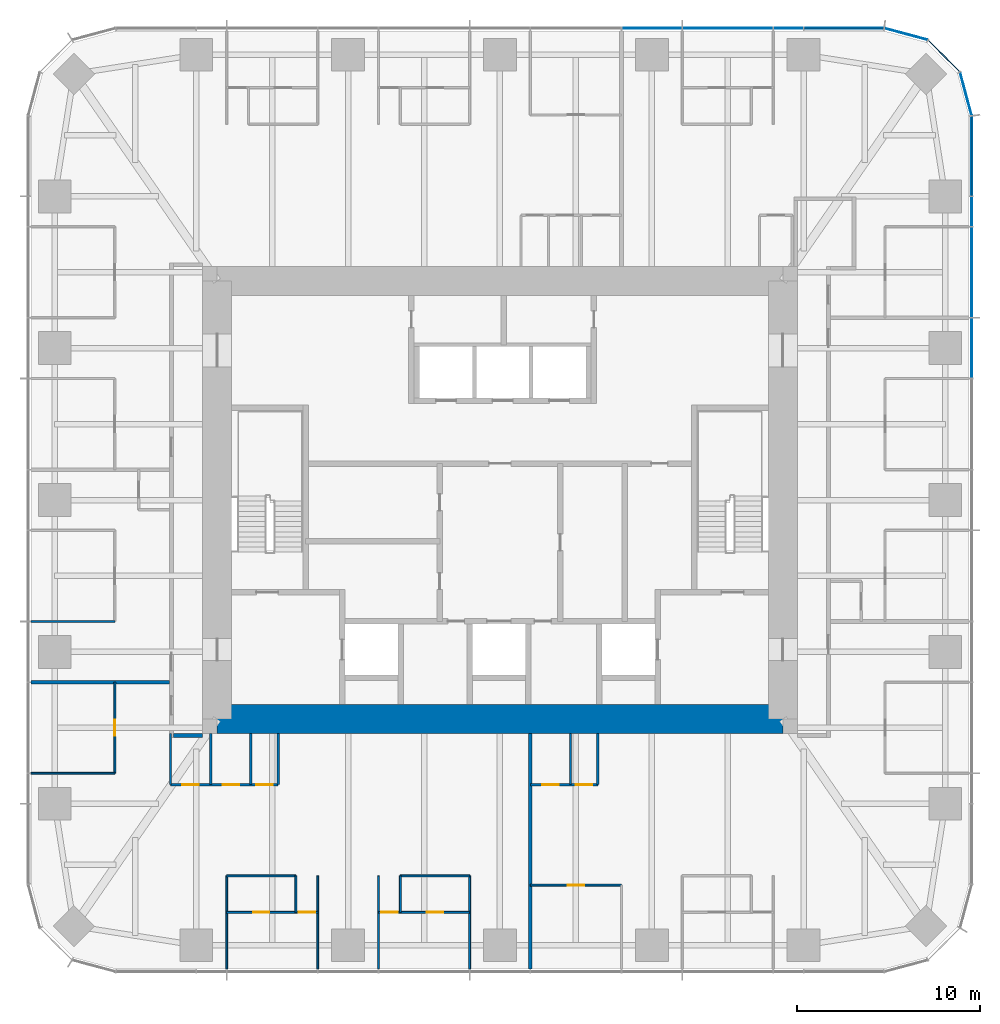
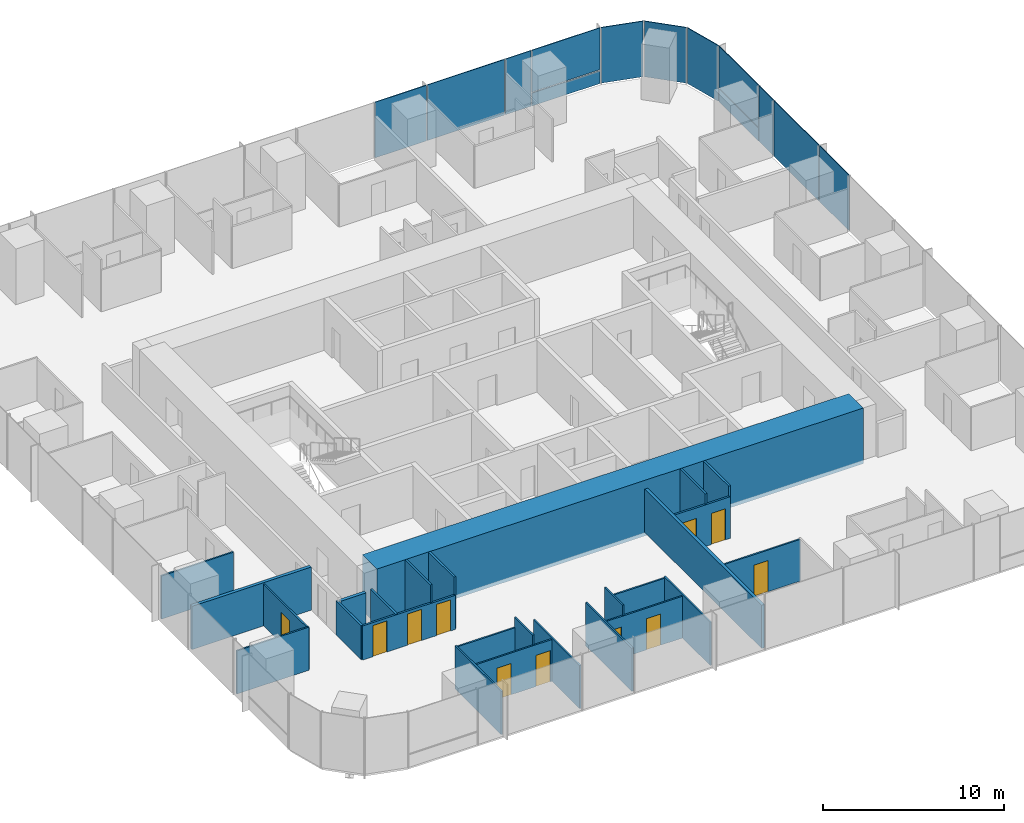
# One storey, part 8 of 13: 26 walls, 13 plates, 11 doors, 11 openings, 3 elements without a shape of their own.
"""IFC4 building model written with IfcOpenShell, lengths in metres."""

from ifc_helpers import new_model, si_unit, direction, frame, frame_2d, origin, origin_2d, place, context, subcontext, project, spatial, rectangle, extrude, material, layer, layer_set, type_object, element, fill, aggregate, save


model = new_model("IFC4")

# Units and contexts
model_context = context("Model", 3, precision=1e-05, world=origin(), true_north=direction((0.0, 1.0)))
body_context = subcontext(model_context, "Body", "Model", "MODEL_VIEW")
ifc_project = project(units=[si_unit("LENGTHUNIT", "METRE"), si_unit("AREAUNIT", "SQUARE_METRE"), si_unit("VOLUMEUNIT", "CUBIC_METRE"), si_unit("PLANEANGLEUNIT", "RADIAN"), si_unit("MASSUNIT", "GRAM", prefix="KILO")], contexts=[model_context])

# Site, building, storey
site_placement = place(None, origin())
site = spatial("IfcSite", under=ifc_project, at=site_placement, CompositionType="ELEMENT")
building_placement = place(site_placement, origin())
building = spatial("IfcBuilding", under=site, at=building_placement, Name="Khuree Lantern Residences", CompositionType="ELEMENT")
storey_placement = place(building_placement, frame((0.0, 0.0, 255.75)))
storey = spatial("IfcBuildingStorey", under=building, at=storey_placement, Name="L64", CompositionType="ELEMENT", Elevation=255.75)

# Curtain wall, plates
ifc_material_1 = material(Name="Bronze anodised aluminium", Category="aluminium")
curtain_wall_type_1 = type_object("IfcCurtainWallType", Name="CW-T2 TOWER CORNER CURTAIN WALL", PredefinedType="USERDEFINED", material=ifc_material_1)
curtain_wall_1_placement = place(storey_placement, origin())
curtain_wall_1 = element("IfcCurtainWall", 1, at=curtain_wall_1_placement, inside=storey, type_object=curtain_wall_type_1, Name="L64 NORTH-EAST CORNER CURTAIN WALL", ObjectType="Faceted corner curtain wall", PredefinedType="USERDEFINED")
ifc_material_2 = material(Name="Bronze tinted triple glazing", Category="glass")
ifc_layer_1 = layer(ifc_material_2, 0.048095703125)
ifc_layer_set_1 = layer_set([ifc_layer_1], Name="FACET PANEL P4")
plate_type_1 = type_object("IfcPlateType", Name="FACET PANEL P4", PredefinedType="CURTAIN_PANEL", material=ifc_layer_set_1)
plate_1_placement = place(storey_placement, frame((25.529052734375, 22.248046875, 0.0), z_axis=(0.0, 0.0, 1.0), x_axis=(-0.258819021888, 0.965925832509, 0.0)))
plate_1 = element("IfcPlate", 2, at=plate_1_placement, type_object=plate_type_1, Name="L64 NORTH-EAST CORNER PANEL 15.1", PredefinedType="CURTAIN_PANEL", context=body_context, shape_type="SweptSolid", body=[
    extrude(rectangle(XDim=2.40869140625, YDim=0.048095703125, at=origin_2d()), origin(), (0.0, 0.0, 1.0), 3.75),
])
plate_2_placement = place(storey_placement, frame((24.328369140625, 24.328369140625, 0.0), z_axis=(0.0, 0.0, 1.0), x_axis=(-0.707106781187, 0.707106781187, 0.0)))
plate_2 = element("IfcPlate", 3, at=plate_2_placement, type_object=plate_type_1, Name="L64 NORTH-EAST CORNER PANEL 16.1", PredefinedType="CURTAIN_PANEL", context=body_context, shape_type="SweptSolid", body=[
    extrude(rectangle(XDim=2.404541015625, YDim=0.048095703125, at=origin_2d()), origin(), (0.0, 0.0, 1.0), 3.75),
])
plate_3_placement = place(storey_placement, frame((22.248046875, 25.529052734375, 0.0), z_axis=(0.0, 0.0, 1.0), x_axis=(-0.965925832509, 0.258819021888, 0.0)))
plate_3 = element("IfcPlate", 4, at=plate_3_placement, type_object=plate_type_1, Name="L64 NORTH-EAST CORNER PANEL 17.1", PredefinedType="CURTAIN_PANEL", context=body_context, shape_type="SweptSolid", body=[
    extrude(rectangle(XDim=2.40869140625, YDim=0.048095703125, at=origin_2d()), origin(), (0.0, 0.0, 1.0), 3.75),
])
aggregate(curtain_wall_1, [plate_1, plate_2, plate_3])

# Curtain wall, plate
curtain_wall_type_2 = type_object("IfcCurtainWallType", Name="CW-T1 TOWER FACE CURTAIN WALL", PredefinedType="USERDEFINED", material=ifc_material_1)
curtain_wall_2_placement = place(storey_placement, origin())
curtain_wall_2 = element("IfcCurtainWall", 5, at=curtain_wall_2_placement, inside=storey, type_object=curtain_wall_type_2, Name="L64 EAST FACE CURTAIN WALL", ObjectType="Stick-built curtain wall", PredefinedType="USERDEFINED")
ifc_material_3 = material(Name="Bronze tinted triple glazing with a ceramic-fritted spandrel band", Category="glass")
ifc_layer_2 = layer(ifc_material_3, 0.048095703125)
ifc_layer_set_2 = layer_set([ifc_layer_2], Name="FIXED LIGHT PANEL P11")
plate_type_2 = type_object("IfcPlateType", Name="FIXED LIGHT PANEL P11", PredefinedType="CURTAIN_PANEL", material=ifc_layer_set_2)
plate_4_placement = place(storey_placement, frame((25.85009765625, 12.47998046875, 0.0), z_axis=(0.0, 0.0, 1.0), x_axis=(0.0, 1.0, 0.0)))
plate_4 = element("IfcPlate", 6, at=plate_4_placement, type_object=plate_type_2, Name="L64 EAST FACE PANEL 12.1", PredefinedType="CURTAIN_PANEL", context=body_context, shape_type="SweptSolid", body=[
    extrude(rectangle(XDim=4.927001953125, YDim=0.048095703125, at=origin_2d()), origin(), (0.0, 0.0, 1.0), 3.75),
])

curtain_wall_3_placement = place(storey_placement, origin())
curtain_wall_3 = element("IfcCurtainWall", 7, at=curtain_wall_3_placement, inside=storey, type_object=curtain_wall_type_2, Name="L64 NORTH FACE CURTAIN WALL", ObjectType="Stick-built curtain wall", PredefinedType="USERDEFINED")
plate_5_placement = place(storey_placement, frame((12.47998046875, 25.85009765625, 0.0), z_axis=(0.0, 0.0, 1.0), x_axis=(-1.0, 0.0, 0.0)))
plate_5 = element("IfcPlate", 8, at=plate_5_placement, type_object=plate_type_2, Name="L64 NORTH FACE PANEL 20.1", PredefinedType="CURTAIN_PANEL", context=body_context, shape_type="SweptSolid", body=[
    extrude(rectangle(XDim=4.927001953125, YDim=0.048095703125, at=origin_2d()), origin(), (0.0, 0.0, 1.0), 3.75),
])

# Plate
ifc_material_4 = material(Name="Bronze tinted triple glazing, two aluminium-framed sashes in one frame", Category="aluminium")
ifc_layer_3 = layer(ifc_material_4, 0.048095703125)
ifc_layer_set_3 = layer_set([ifc_layer_3], Name="SASH PAIR PANEL P12")
plate_type_3 = type_object("IfcPlateType", Name="SASH PAIR PANEL P12", PredefinedType="CURTAIN_PANEL", material=ifc_layer_set_3)
plate_6_placement = place(storey_placement, frame((25.85009765625, 8.320068359375, 0.0), z_axis=(0.0, 0.0, 1.0), x_axis=(0.0, 1.0, 0.0)))
plate_6 = element("IfcPlate", 9, at=plate_6_placement, type_object=plate_type_3, Name="L64 EAST FACE PANEL 11.1", PredefinedType="CURTAIN_PANEL", context=body_context, shape_type="SweptSolid", body=[
    extrude(rectangle(XDim=3.262939453125, YDim=0.048095703125, at=origin_2d()), origin(), (0.0, 0.0, 1.0), 3.75),
])

plate_7_placement = place(storey_placement, frame((8.320068359375, 25.85009765625, 0.0), z_axis=(0.0, 0.0, 1.0), x_axis=(-1.0, 0.0, 0.0)))
plate_7 = element("IfcPlate", 10, at=plate_7_placement, type_object=plate_type_3, Name="L64 NORTH FACE PANEL 21.1", PredefinedType="CURTAIN_PANEL", context=body_context, shape_type="SweptSolid", body=[
    extrude(rectangle(XDim=3.262939453125, YDim=0.048095703125, at=origin_2d()), origin(), (0.0, 0.0, 1.0), 3.75),
])

ifc_material_5 = material(Name="Bronze tinted triple glazing, aluminium-framed sash", Category="aluminium")
ifc_layer_4 = layer(ifc_material_5, 0.048095703125)
ifc_layer_set_4 = layer_set([ifc_layer_4], Name="SASH PANEL P3")
plate_type_4 = type_object("IfcPlateType", Name="SASH PANEL P3", PredefinedType="CURTAIN_PANEL", material=ifc_layer_set_4)
plate_8_placement = place(storey_placement, frame((25.85009765625, 15.80810546875, 0.0), z_axis=(0.0, 0.0, 1.0), x_axis=(0.0, 1.0, 0.0)))
plate_8 = element("IfcPlate", 11, at=plate_8_placement, type_object=plate_type_4, Name="L64 EAST FACE PANEL 13.1", PredefinedType="CURTAIN_PANEL", context=body_context, shape_type="SweptSolid", body=[
    extrude(rectangle(XDim=1.59912109375, YDim=0.048095703125, at=origin_2d()), origin(), (0.0, 0.0, 1.0), 3.75),
])

plate_9_placement = place(storey_placement, frame((15.80810546875, 25.85009765625, 0.0), z_axis=(0.0, 0.0, 1.0), x_axis=(-1.0, 0.0, 0.0)))
plate_9 = element("IfcPlate", 12, at=plate_9_placement, type_object=plate_type_4, Name="L64 NORTH FACE PANEL 19.1", PredefinedType="CURTAIN_PANEL", context=body_context, shape_type="SweptSolid", body=[
    extrude(rectangle(XDim=1.59912109375, YDim=0.048095703125, at=origin_2d()), origin(), (0.0, 0.0, 1.0), 3.75),
])

ifc_material_6 = material(Name="Bronze anodised aluminium insulated spandrel", Category="aluminium")
ifc_layer_5 = layer(ifc_material_6, 0.06005859375)
ifc_layer_set_5 = layer_set([ifc_layer_5], Name="SPANDREL PANEL P2")
plate_type_5 = type_object("IfcPlateType", Name="SPANDREL PANEL P2", PredefinedType="CURTAIN_PANEL", material=ifc_layer_set_5)
plate_10_placement = place(storey_placement, frame((25.85009765625, 18.8427734375, 0.0), z_axis=(0.0, 0.0, 1.0), x_axis=(0.0, 1.0, 0.0)))
plate_10 = element("IfcPlate", 13, at=plate_10_placement, type_object=plate_type_5, Name="L64 EAST FACE PANEL 14.1", PredefinedType="CURTAIN_PANEL", context=body_context, shape_type="SweptSolid", body=[
    extrude(rectangle(XDim=4.3408203125, YDim=0.06005859375, at=origin_2d()), origin(), (0.0, 0.0, 1.0), 0.867431640625),
])

plate_11_placement = place(storey_placement, frame((18.8427734375, 25.85009765625, 0.0), z_axis=(0.0, 0.0, 1.0), x_axis=(-1.0, 0.0, 0.0)))
plate_11 = element("IfcPlate", 14, at=plate_11_placement, type_object=plate_type_5, Name="L64 NORTH FACE PANEL 18.1", PredefinedType="CURTAIN_PANEL", context=body_context, shape_type="SweptSolid", body=[
    extrude(rectangle(XDim=4.3408203125, YDim=0.06005859375, at=origin_2d()), origin(), (0.0, 0.0, 1.0), 0.867431640625),
])

ifc_layer_6 = layer(ifc_material_2, 0.048095703125)
ifc_layer_set_6 = layer_set([ifc_layer_6], Name="VISION PANEL P1")
plate_type_6 = type_object("IfcPlateType", Name="VISION PANEL P1", PredefinedType="CURTAIN_PANEL", material=ifc_layer_set_6)
plate_12_placement = place(storey_placement, frame((25.85009765625, 18.84326171875, 0.9326171875), z_axis=(0.0, 0.0, 1.0), x_axis=(0.0, 1.0, 0.0)))
plate_12 = element("IfcPlate", 15, at=plate_12_placement, type_object=plate_type_6, Name="L64 EAST FACE PANEL 14.2", PredefinedType="CURTAIN_PANEL", context=body_context, shape_type="SweptSolid", body=[
    extrude(rectangle(XDim=4.341552734375, YDim=0.048095703125, at=origin_2d()), origin(), (0.0, 0.0, 1.0), 2.8173828125),
])

aggregate(curtain_wall_2, [plate_6, plate_4, plate_8, plate_10, plate_12])

plate_13_placement = place(storey_placement, frame((18.84326171875, 25.85009765625, 0.9326171875), z_axis=(0.0, 0.0, 1.0), x_axis=(-1.0, 0.0, 0.0)))
plate_13 = element("IfcPlate", 16, at=plate_13_placement, type_object=plate_type_6, Name="L64 NORTH FACE PANEL 18.2", PredefinedType="CURTAIN_PANEL", context=body_context, shape_type="SweptSolid", body=[
    extrude(rectangle(XDim=4.341552734375, YDim=0.048095703125, at=origin_2d()), origin(), (0.0, 0.0, 1.0), 2.8173828125),
])

aggregate(curtain_wall_3, [plate_11, plate_13, plate_9, plate_5, plate_7])

# Wall, openings, doors
ifc_material_7 = material(Name="Moisture-resistant gypsum board on steel studs", Category="steel")
ifc_layer_7 = layer(ifc_material_7, 0.125)
ifc_layer_set_7 = layer_set([ifc_layer_7], Name="BATHROOM WALL BTW125")
wall_type_1 = type_object("IfcWallType", Name="BATHROOM WALL BTW125", PredefinedType="PARTITIONING", material=ifc_layer_set_7)
wall_1_placement = place(storey_placement, frame((-18.050048828125, -15.60009765625, 0.0), z_axis=(0.0, 0.0, 1.0), x_axis=(1.0, 0.0, 0.0)))
wall_1 = element("IfcWall", 17, at=wall_1_placement, inside=storey, type_object=wall_type_1, Name="L64 BATHROOM WALL 05", PredefinedType="PARTITIONING", context=body_context, shape_type="SweptSolid", body=[
    extrude(rectangle(XDim=5.900146484375, YDim=0.125, at=frame_2d((2.9501953125, 0.0))), origin(), (0.0, 0.0, 1.0), 2.300048828125),
])
opening_1_placement = place(wall_1_placement, frame((0.64990234375, 0.0, 0.0)))
opening_1 = element("IfcOpeningElement", 18, at=opening_1_placement, cuts=wall_1, Name="Opening 64-050", PredefinedType="OPENING", context=body_context, shape_type="SweptSolid", body=[
    extrude(rectangle(XDim=0.89990234375, YDim=2.10009765625, at=frame_2d((0.449951171875, 1.050048828125))), frame((0.0, 0.072509765625, 0.0), z_axis=(0.0, -1.0, 0.0), x_axis=(1.0, 0.0, 0.0)), (0.0, 0.0, 1.0), 0.14501953125),
])
opening_2_placement = place(wall_1_placement, frame((2.85009765625, 0.0, 0.0)))
opening_2 = element("IfcOpeningElement", 19, at=opening_2_placement, cuts=wall_1, Name="Opening 64-051", PredefinedType="OPENING", context=body_context, shape_type="SweptSolid", body=[
    extrude(rectangle(XDim=0.89990234375, YDim=2.10009765625, at=frame_2d((0.449951171875, 1.050048828125))), frame((0.0, 0.072509765625, 0.0), z_axis=(0.0, -1.0, 0.0), x_axis=(1.0, 0.0, 0.0)), (0.0, 0.0, 1.0), 0.14501953125),
])
opening_3_placement = place(wall_1_placement, frame((4.699951171875, 0.0, 0.0)))
opening_3 = element("IfcOpeningElement", 20, at=opening_3_placement, cuts=wall_1, Name="Opening 64-052", PredefinedType="OPENING", context=body_context, shape_type="SweptSolid", body=[
    extrude(rectangle(XDim=0.89990234375, YDim=2.10009765625, at=frame_2d((0.449951171875, 1.050048828125))), frame((0.0, 0.072509765625, 0.0), z_axis=(0.0, -1.0, 0.0), x_axis=(1.0, 0.0, 0.0)), (0.0, 0.0, 1.0), 0.14501953125),
])
ifc_material_8 = material(Name="Timber door leaf in hardwood frame", Category="wood")
door_type_1 = type_object("IfcDoorType", Name="BATHROOM DOOR 900X2100", OperationType="SINGLE_SWING_LEFT", PredefinedType="DOOR", material=ifc_material_8)
door_1_placement = place(opening_1_placement, origin())
door_1 = element("IfcDoor", 21, at=door_1_placement, inside=storey, type_object=door_type_1, Name="Bathroom door 64-050", OperationType="SINGLE_SWING_LEFT", OverallHeight=2.10009765625, OverallWidth=0.89990234375, PredefinedType="DOOR", context=body_context, shape_type="SweptSolid", body=[
    extrude(rectangle(XDim=0.89990234375, YDim=2.10009765625, at=frame_2d((0.449951171875, 1.050048828125))), frame((0.0, 0.02490234375, 0.0), z_axis=(0.0, -1.0, 0.0), x_axis=(1.0, 0.0, 0.0)), (0.0, 0.0, 1.0), 0.050048828125),
])
fill(opening_1, door_1)
door_2_placement = place(opening_2_placement, origin())
door_2 = element("IfcDoor", 22, at=door_2_placement, inside=storey, type_object=door_type_1, Name="Bathroom door 64-051", OperationType="SINGLE_SWING_LEFT", OverallHeight=2.10009765625, OverallWidth=0.89990234375, PredefinedType="DOOR", context=body_context, shape_type="SweptSolid", body=[
    extrude(rectangle(XDim=0.89990234375, YDim=2.10009765625, at=frame_2d((0.449951171875, 1.050048828125))), frame((0.0, 0.02490234375, 0.0), z_axis=(0.0, -1.0, 0.0), x_axis=(1.0, 0.0, 0.0)), (0.0, 0.0, 1.0), 0.050048828125),
])
fill(opening_2, door_2)
door_type_2 = type_object("IfcDoorType", Name="WC DOOR 900X2100", OperationType="SINGLE_SWING_LEFT", PredefinedType="DOOR", material=ifc_material_8)
door_3_placement = place(opening_3_placement, origin())
door_3 = element("IfcDoor", 23, at=door_3_placement, inside=storey, type_object=door_type_2, Name="WC door 64-052", OperationType="SINGLE_SWING_LEFT", OverallHeight=2.10009765625, OverallWidth=0.89990234375, PredefinedType="DOOR", context=body_context, shape_type="SweptSolid", body=[
    extrude(rectangle(XDim=0.89990234375, YDim=2.10009765625, at=frame_2d((0.449951171875, 1.050048828125))), frame((0.0, 0.02490234375, 0.0), z_axis=(0.0, -1.0, 0.0), x_axis=(1.0, 0.0, 0.0)), (0.0, 0.0, 1.0), 0.050048828125),
])
fill(opening_3, door_3)

# Walls
for number, where, z_axis, x_axis, name in (
    (24, (-18.050048828125, -12.800048828125, 0.0), (0.0, 0.0, 1.0), (0.0, -1.0, 0.0), "L64 BATHROOM WALL 05"),
    (25, (-15.85009765625, -12.800048828125, 0.0), (0.0, 0.0, 1.0), (0.0, -1.0, 0.0), "L64 BATHROOM WALL 05"),
):
    element("IfcWall", number, at=place(storey_placement, frame(where, z_axis=z_axis, x_axis=x_axis)), inside=storey, type_object=wall_type_1, Name=name, PredefinedType="PARTITIONING", context=body_context, shape_type="SweptSolid", body=[
        extrude(rectangle(XDim=2.800048828125, YDim=0.125, at=frame_2d((1.39990234375, 0.0))), origin(), (0.0, 0.0, 1.0), 2.300048828125),
    ])
for number, where, z_axis, x_axis, name in (
    (26, (-13.64990234375, -12.800048828125, 0.0), (0.0, 0.0, 1.0), (0.0, -1.0, 0.0), "L64 BATHROOM WALL 05"),
    (27, (-12.14990234375, -12.800048828125, 0.0), (0.0, 0.0, 1.0), (0.0, -1.0, 0.0), "L64 BATHROOM WALL 05"),
):
    element("IfcWall", number, at=place(storey_placement, frame(where, z_axis=z_axis, x_axis=x_axis)), inside=storey, type_object=wall_type_1, Name=name, PredefinedType="PARTITIONING", context=body_context, shape_type="SweptSolid", body=[
        extrude(rectangle(XDim=2.800048828125, YDim=0.125, at=frame_2d((1.39990234375, 0.0))), origin(), (0.0, 0.0, 1.0), 3.5),
    ])

# Wall, openings, doors
wall_2_placement = place(storey_placement, frame((1.6640625, -15.60009765625, 0.0), z_axis=(0.0, 0.0, 1.0), x_axis=(1.0, 0.0, 0.0)))
wall_2 = element("IfcWall", 28, at=wall_2_placement, inside=storey, type_object=wall_type_1, Name="L64 BATHROOM WALL 06", PredefinedType="PARTITIONING", context=body_context, shape_type="SweptSolid", body=[
    extrude(rectangle(XDim=3.699951171875, YDim=0.125, at=frame_2d((1.85009765625, 0.0))), origin(), (0.0, 0.0, 1.0), 2.81005859375),
])
opening_4_placement = place(wall_2_placement, frame((0.64990234375, 0.0, 0.0)))
opening_4 = element("IfcOpeningElement", 29, at=opening_4_placement, cuts=wall_2, Name="Opening 64-058", PredefinedType="OPENING", context=body_context, shape_type="SweptSolid", body=[
    extrude(rectangle(XDim=0.89990234375, YDim=2.10009765625, at=frame_2d((0.449951171875, 1.050048828125))), frame((0.0, 0.072509765625, 0.0), z_axis=(0.0, -1.0, 0.0), x_axis=(1.0, 0.0, 0.0)), (0.0, 0.0, 1.0), 0.14501953125),
])
opening_5_placement = place(wall_2_placement, frame((2.5, 0.0, 0.0)))
opening_5 = element("IfcOpeningElement", 30, at=opening_5_placement, cuts=wall_2, Name="Opening 64-059", PredefinedType="OPENING", context=body_context, shape_type="SweptSolid", body=[
    extrude(rectangle(XDim=0.89990234375, YDim=2.10009765625, at=frame_2d((0.449951171875, 1.050048828125))), frame((0.0, 0.072509765625, 0.0), z_axis=(0.0, -1.0, 0.0), x_axis=(1.0, 0.0, 0.0)), (0.0, 0.0, 1.0), 0.14501953125),
])
door_4_placement = place(opening_4_placement, origin())
door_4 = element("IfcDoor", 31, at=door_4_placement, inside=storey, type_object=door_type_1, Name="Bathroom door 64-058", OperationType="SINGLE_SWING_LEFT", OverallHeight=2.10009765625, OverallWidth=0.89990234375, PredefinedType="DOOR", context=body_context, shape_type="SweptSolid", body=[
    extrude(rectangle(XDim=0.89990234375, YDim=2.10009765625, at=frame_2d((0.449951171875, 1.050048828125))), frame((0.0, 0.02490234375, 0.0), z_axis=(0.0, -1.0, 0.0), x_axis=(1.0, 0.0, 0.0)), (0.0, 0.0, 1.0), 0.050048828125),
])
fill(opening_4, door_4)
door_5_placement = place(opening_5_placement, origin())
door_5 = element("IfcDoor", 32, at=door_5_placement, inside=storey, type_object=door_type_2, Name="WC door 64-059", OperationType="SINGLE_SWING_LEFT", OverallHeight=2.10009765625, OverallWidth=0.89990234375, PredefinedType="DOOR", context=body_context, shape_type="SweptSolid", body=[
    extrude(rectangle(XDim=0.89990234375, YDim=2.10009765625, at=frame_2d((0.449951171875, 1.050048828125))), frame((0.0, 0.02490234375, 0.0), z_axis=(0.0, -1.0, 0.0), x_axis=(1.0, 0.0, 0.0)), (0.0, 0.0, 1.0), 0.050048828125),
])
fill(opening_5, door_5)

# Walls
for number, where, z_axis, x_axis, name in (
    (33, (3.864013671875, -12.800048828125, 0.0), (0.0, 0.0, 1.0), (0.0, -1.0, 0.0), "L64 BATHROOM WALL 06"),
    (34, (5.364013671875, -12.800048828125, 0.0), (0.0, 0.0, 1.0), (0.0, -1.0, 0.0), "L64 BATHROOM WALL 06"),
):
    element("IfcWall", number, at=place(storey_placement, frame(where, z_axis=z_axis, x_axis=x_axis)), inside=storey, type_object=wall_type_1, Name=name, PredefinedType="PARTITIONING", context=body_context, shape_type="SweptSolid", body=[
        extrude(rectangle(XDim=2.800048828125, YDim=0.125, at=frame_2d((1.39990234375, 0.0))), origin(), (0.0, 0.0, 1.0), 3.5),
    ])
ifc_material_9 = material(Name="Gypsum board on steel studs", Category="steel")
ifc_layer_8 = layer(ifc_material_9, 0.199951171875)
ifc_layer_set_8 = layer_set([ifc_layer_8], Name="CORRIDOR WALL CRW200 EI 60")
wall_type_2 = type_object("IfcWallType", Name="CORRIDOR WALL CRW200 EI 60", PredefinedType="PARTITIONING", material=ifc_layer_set_8)
wall_3_placement = place(storey_placement, frame((-16.300048828125, -12.89990234375, 0.0), z_axis=(0.0, 0.0, 1.0), x_axis=(-1.0, 0.0, 0.0)))
element("IfcWall", 35, at=wall_3_placement, inside=storey, type_object=wall_type_2, Name="L64 WEST CORRIDOR SOUTH END WALL", PredefinedType="PARTITIONING", context=body_context, shape_type="SweptSolid", body=[
    extrude(rectangle(XDim=1.599853515625, YDim=0.199951171875, at=frame_2d((0.7998046875, 0.0))), origin(), (0.0, 0.0, 1.0), 2.300048828125),
])
ifc_material_10 = material(Name="Concrete C50/60", Category="concrete")
ifc_layer_9 = layer(ifc_material_10, 1.60009765625)
ifc_layer_set_9 = layer_set([ifc_layer_9], Name="CW1600-C50 CORE WALL C50 1600")
wall_type_3 = type_object("IfcWallType", Name="CW1600-C50 CORE WALL C50 1600", PredefinedType="SHEAR", material=ifc_layer_set_9)
wall_4_placement = place(storey_placement, frame((-15.5, -12.0, -0.25), z_axis=(0.0, 0.0, 1.0), x_axis=(1.0, 0.0, 0.0)))
element("IfcWall", 36, at=wall_4_placement, inside=storey, type_object=wall_type_3, Name="Core wall S", PredefinedType="SHEAR", context=body_context, shape_type="SweptSolid", body=[
    extrude(rectangle(XDim=31.0, YDim=1.60009765625, at=frame_2d((15.5, 0.0))), origin(), (0.0, 0.0, 1.0), 3.75),
])
ifc_layer_10 = layer(ifc_material_9, 0.199951171875)
ifc_layer_set_10 = layer_set([ifc_layer_10], Name="DEMISING WALL DMW200 EI 90")
wall_type_4 = type_object("IfcWallType", Name="DEMISING WALL DMW200 EI 90", PredefinedType="PARTITIONING", material=ifc_layer_set_10)
wall_5_placement = place(storey_placement, frame((-18.10009765625, -9.98388671875, 0.0), z_axis=(0.0, 0.0, 1.0), x_axis=(-1.0, 0.0, 0.0)))
element("IfcWall", 37, at=wall_5_placement, inside=storey, type_object=wall_type_4, Name="L64 DEMISING WALL 05", PredefinedType="PARTITIONING", context=body_context, shape_type="SweptSolid", body=[
    extrude(rectangle(XDim=7.599853515625, YDim=0.199951171875, at=frame_2d((3.7998046875, 0.0))), origin(), (0.0, 0.0, 1.0), 2.909912109375),
])
wall_6_placement = place(storey_placement, frame((1.6640625, -12.800048828125, 0.0), z_axis=(0.0, 0.0, 1.0), x_axis=(0.0, -1.0, 0.0)))
element("IfcWall", 38, at=wall_6_placement, inside=storey, type_object=wall_type_4, Name="L64 DEMISING WALL 06", PredefinedType="PARTITIONING", context=body_context, shape_type="SweptSolid", body=[
    extrude(rectangle(XDim=12.89990234375, YDim=0.199951171875, at=frame_2d((6.449951171875, 0.0))), origin(), (0.0, 0.0, 1.0), 2.909912109375),
])
ifc_layer_11 = layer(ifc_material_9, 0.10009765625)
ifc_layer_set_11 = layer_set([ifc_layer_11], Name="PARTITION PT100")
wall_type_5 = type_object("IfcWallType", Name="PARTITION PT100", PredefinedType="PARTITIONING", material=ifc_layer_set_11)
for number, where, z_axis, x_axis, name in (
    (39, (-21.10009765625, -6.656005859375, 0.0), (0.0, 0.0, 1.0), (-1.0, 0.0, 0.0), "L64 PARTITION 04"),
    (40, (-21.10009765625, -14.97607421875, 0.0), (0.0, 0.0, 1.0), (-1.0, 0.0, 0.0), "L64 PARTITION 05"),
):
    element("IfcWall", number, at=place(storey_placement, frame(where, z_axis=z_axis, x_axis=x_axis)), inside=storey, type_object=wall_type_5, Name=name, PredefinedType="PARTITIONING", context=body_context, shape_type="SweptSolid", body=[
        extrude(rectangle(XDim=4.599853515625, YDim=0.10009765625, at=frame_2d((2.2998046875, 0.0))), origin(), (0.0, 0.0, 1.0), 2.909912109375),
    ])
for number, where, z_axis, x_axis, name in (
    (41, (-14.97607421875, -20.594970703125, 0.0), (0.0, 0.0, 1.0), (0.0, -1.0, 0.0), "L64 PARTITION 05"),
    (42, (-9.98388671875, -20.594970703125, 0.0), (0.0, 0.0, 1.0), (0.0, -1.0, 0.0), "L64 PARTITION 05"),
    (43, (-6.656005859375, -20.594970703125, 0.0), (0.0, 0.0, 1.0), (0.0, -1.0, 0.0), "L64 PARTITION 05"),
    (44, (-1.6640625, -20.594970703125, 0.0), (0.0, 0.0, 1.0), (0.0, -1.0, 0.0), "L64 PARTITION 05"),
):
    element("IfcWall", number, at=place(storey_placement, frame(where, z_axis=z_axis, x_axis=x_axis)), inside=storey, type_object=wall_type_5, Name=name, PredefinedType="PARTITIONING", context=body_context, shape_type="SweptSolid", body=[
        extrude(rectangle(XDim=5.10498046875, YDim=0.10009765625, at=frame_2d((2.552490234375, 0.0))), origin(), (0.0, 0.0, 1.0), 2.909912109375),
    ])

# Wall, opening, door
wall_7_placement = place(storey_placement, frame((-21.10009765625, -9.98388671875, 0.0), z_axis=(0.0, 0.0, 1.0), x_axis=(0.0, -1.0, 0.0)))
wall_7 = element("IfcWall", 45, at=wall_7_placement, inside=storey, type_object=wall_type_5, Name="L64 PARTITION 05", PredefinedType="PARTITIONING", context=body_context, shape_type="SweptSolid", body=[
    extrude(rectangle(XDim=4.9921875, YDim=0.10009765625, at=frame_2d((2.49609375, 0.0))), origin(), (0.0, 0.0, 1.0), 2.81005859375),
])
opening_6_placement = place(wall_7_placement, frame((2.0458984375, 0.0, 0.0)))
opening_6 = element("IfcOpeningElement", 46, at=opening_6_placement, cuts=wall_7, Name="Opening 64-045", PredefinedType="OPENING", context=body_context, shape_type="SweptSolid", body=[
    extrude(rectangle(XDim=0.89990234375, YDim=2.10009765625, at=frame_2d((0.449951171875, 1.050048828125))), frame((0.0, 0.06005859375, 0.0), z_axis=(0.0, -1.0, 0.0), x_axis=(1.0, 0.0, 0.0)), (0.0, 0.0, 1.0), 0.1201171875),
])
door_type_3 = type_object("IfcDoorType", Name="BEDROOM DOOR 900X2100", OperationType="SINGLE_SWING_LEFT", PredefinedType="DOOR", material=ifc_material_8)
door_6_placement = place(opening_6_placement, origin())
door_6 = element("IfcDoor", 47, at=door_6_placement, inside=storey, type_object=door_type_3, Name="Bedroom door 64-045", OperationType="SINGLE_SWING_LEFT", OverallHeight=2.10009765625, OverallWidth=0.89990234375, PredefinedType="DOOR", context=body_context, shape_type="SweptSolid", body=[
    extrude(rectangle(XDim=0.89990234375, YDim=2.10009765625, at=frame_2d((0.449951171875, 1.050048828125))), frame((0.0, 0.02490234375, 0.0), z_axis=(0.0, -1.0, 0.0), x_axis=(1.0, 0.0, 0.0)), (0.0, 0.0, 1.0), 0.050048828125),
])
fill(opening_6, door_6)

# Wall, openings, doors
wall_8_placement = place(storey_placement, frame((-14.97607421875, -22.594970703125, 0.0), z_axis=(0.0, 0.0, 1.0), x_axis=(1.0, 0.0, 0.0)))
wall_8 = element("IfcWall", 48, at=wall_8_placement, inside=storey, type_object=wall_type_5, Name="L64 PARTITION 05", PredefinedType="PARTITIONING", context=body_context, shape_type="SweptSolid", body=[
    extrude(rectangle(XDim=4.9921875, YDim=0.10009765625, at=frame_2d((2.49609375, 0.0))), origin(), (0.0, 0.0, 1.0), 2.81005859375),
])
opening_7_placement = place(wall_8_placement, frame((3.94189453125, 0.0, 0.0)))
opening_7 = element("IfcOpeningElement", 49, at=opening_7_placement, cuts=wall_8, Name="Opening 64-046", PredefinedType="OPENING", context=body_context, shape_type="SweptSolid", body=[
    extrude(rectangle(XDim=0.89990234375, YDim=2.10009765625, at=frame_2d((0.449951171875, 1.050048828125))), frame((0.0, 0.06005859375, 0.0), z_axis=(0.0, -1.0, 0.0), x_axis=(1.0, 0.0, 0.0)), (0.0, 0.0, 1.0), 0.1201171875),
])
opening_8_placement = place(wall_8_placement, frame((1.446044921875, 0.0, 0.0)))
opening_8 = element("IfcOpeningElement", 50, at=opening_8_placement, cuts=wall_8, Name="Opening 64-047", PredefinedType="OPENING", context=body_context, shape_type="SweptSolid", body=[
    extrude(rectangle(XDim=0.89990234375, YDim=2.10009765625, at=frame_2d((0.449951171875, 1.050048828125))), frame((0.0, 0.06005859375, 0.0), z_axis=(0.0, -1.0, 0.0), x_axis=(1.0, 0.0, 0.0)), (0.0, 0.0, 1.0), 0.1201171875),
])
door_7_placement = place(opening_7_placement, origin())
door_7 = element("IfcDoor", 51, at=door_7_placement, inside=storey, type_object=door_type_3, Name="Bedroom door 64-046", OperationType="SINGLE_SWING_LEFT", OverallHeight=2.10009765625, OverallWidth=0.89990234375, PredefinedType="DOOR", context=body_context, shape_type="SweptSolid", body=[
    extrude(rectangle(XDim=0.89990234375, YDim=2.10009765625, at=frame_2d((0.449951171875, 1.050048828125))), frame((0.0, 0.02490234375, 0.0), z_axis=(0.0, -1.0, 0.0), x_axis=(1.0, 0.0, 0.0)), (0.0, 0.0, 1.0), 0.050048828125),
])
fill(opening_7, door_7)
door_type_4 = type_object("IfcDoorType", Name="DOOR 900X2100", OperationType="SINGLE_SWING_LEFT", PredefinedType="DOOR", material=ifc_material_8)
door_8_placement = place(opening_8_placement, origin())
door_8 = element("IfcDoor", 52, at=door_8_placement, inside=storey, type_object=door_type_4, Name="Wardrobe door 64-047", OperationType="SINGLE_SWING_LEFT", OverallHeight=2.10009765625, OverallWidth=0.89990234375, PredefinedType="DOOR", context=body_context, shape_type="SweptSolid", body=[
    extrude(rectangle(XDim=0.89990234375, YDim=2.10009765625, at=frame_2d((0.449951171875, 1.050048828125))), frame((0.0, 0.02490234375, 0.0), z_axis=(0.0, -1.0, 0.0), x_axis=(1.0, 0.0, 0.0)), (0.0, 0.0, 1.0), 0.050048828125),
])
fill(opening_8, door_8)

# Walls
wall_9_placement = place(storey_placement, frame((-11.18408203125, -20.594970703125, 0.0), z_axis=(0.0, 0.0, 1.0), x_axis=(0.0, -1.0, 0.0)))
element("IfcWall", 53, at=wall_9_placement, inside=storey, type_object=wall_type_5, Name="L64 PARTITION 05", PredefinedType="PARTITIONING", context=body_context, shape_type="SweptSolid", body=[
    extrude(rectangle(XDim=2.0, YDim=0.10009765625, at=frame_2d((1.0, 0.0))), origin(), (0.0, 0.0, 1.0), 3.5),
])
wall_10_placement = place(storey_placement, frame((-14.97607421875, -20.594970703125, 0.0), z_axis=(0.0, 0.0, 1.0), x_axis=(1.0, 0.0, 0.0)))
element("IfcWall", 54, at=wall_10_placement, inside=storey, type_object=wall_type_5, Name="L64 PARTITION 05", PredefinedType="PARTITIONING", context=body_context, shape_type="SweptSolid", body=[
    extrude(rectangle(XDim=3.7919921875, YDim=0.10009765625, at=frame_2d((1.89599609375, 0.0))), origin(), (0.0, 0.0, 1.0), 2.81005859375),
])

# Wall, openings, doors
wall_11_placement = place(storey_placement, frame((-6.656005859375, -22.594970703125, 0.0), z_axis=(0.0, 0.0, 1.0), x_axis=(1.0, 0.0, 0.0)))
wall_11 = element("IfcWall", 55, at=wall_11_placement, inside=storey, type_object=wall_type_5, Name="L64 PARTITION 05", PredefinedType="PARTITIONING", context=body_context, shape_type="SweptSolid", body=[
    extrude(rectangle(XDim=4.991943359375, YDim=0.10009765625, at=frame_2d((2.49609375, 0.0))), origin(), (0.0, 0.0, 1.0), 2.81005859375),
])
opening_9_placement = place(wall_11_placement, frame((0.14990234375, 0.0, 0.0)))
opening_9 = element("IfcOpeningElement", 56, at=opening_9_placement, cuts=wall_11, Name="Opening 64-048", PredefinedType="OPENING", context=body_context, shape_type="SweptSolid", body=[
    extrude(rectangle(XDim=0.89990234375, YDim=2.10009765625, at=frame_2d((0.449951171875, 1.050048828125))), frame((0.0, 0.06005859375, 0.0), z_axis=(0.0, -1.0, 0.0), x_axis=(1.0, 0.0, 0.0)), (0.0, 0.0, 1.0), 0.1201171875),
])
opening_10_placement = place(wall_11_placement, frame((2.64599609375, 0.0, 0.0)))
opening_10 = element("IfcOpeningElement", 57, at=opening_10_placement, cuts=wall_11, Name="Opening 64-049", PredefinedType="OPENING", context=body_context, shape_type="SweptSolid", body=[
    extrude(rectangle(XDim=0.89990234375, YDim=2.10009765625, at=frame_2d((0.449951171875, 1.050048828125))), frame((0.0, 0.06005859375, 0.0), z_axis=(0.0, -1.0, 0.0), x_axis=(1.0, 0.0, 0.0)), (0.0, 0.0, 1.0), 0.1201171875),
])
door_9_placement = place(opening_9_placement, origin())
door_9 = element("IfcDoor", 58, at=door_9_placement, inside=storey, type_object=door_type_3, Name="Bedroom door 64-048", OperationType="SINGLE_SWING_LEFT", OverallHeight=2.10009765625, OverallWidth=0.89990234375, PredefinedType="DOOR", context=body_context, shape_type="SweptSolid", body=[
    extrude(rectangle(XDim=0.89990234375, YDim=2.10009765625, at=frame_2d((0.449951171875, 1.050048828125))), frame((0.0, 0.02490234375, 0.0), z_axis=(0.0, -1.0, 0.0), x_axis=(1.0, 0.0, 0.0)), (0.0, 0.0, 1.0), 0.050048828125),
])
fill(opening_9, door_9)
door_10_placement = place(opening_10_placement, origin())
door_10 = element("IfcDoor", 59, at=door_10_placement, inside=storey, type_object=door_type_4, Name="Wardrobe door 64-049", OperationType="SINGLE_SWING_LEFT", OverallHeight=2.10009765625, OverallWidth=0.89990234375, PredefinedType="DOOR", context=body_context, shape_type="SweptSolid", body=[
    extrude(rectangle(XDim=0.89990234375, YDim=2.10009765625, at=frame_2d((0.449951171875, 1.050048828125))), frame((0.0, 0.02490234375, 0.0), z_axis=(0.0, -1.0, 0.0), x_axis=(1.0, 0.0, 0.0)), (0.0, 0.0, 1.0), 0.050048828125),
])
fill(opening_10, door_10)

# Walls
wall_12_placement = place(storey_placement, frame((-5.4560546875, -20.594970703125, 0.0), z_axis=(0.0, 0.0, 1.0), x_axis=(0.0, -1.0, 0.0)))
element("IfcWall", 60, at=wall_12_placement, inside=storey, type_object=wall_type_5, Name="L64 PARTITION 05", PredefinedType="PARTITIONING", context=body_context, shape_type="SweptSolid", body=[
    extrude(rectangle(XDim=2.0, YDim=0.10009765625, at=frame_2d((1.0, 0.0))), origin(), (0.0, 0.0, 1.0), 3.5),
])
wall_13_placement = place(storey_placement, frame((-5.4560546875, -20.594970703125, 0.0), z_axis=(0.0, 0.0, 1.0), x_axis=(1.0, 0.0, 0.0)))
element("IfcWall", 61, at=wall_13_placement, inside=storey, type_object=wall_type_5, Name="L64 PARTITION 05", PredefinedType="PARTITIONING", context=body_context, shape_type="SweptSolid", body=[
    extrude(rectangle(XDim=3.7919921875, YDim=0.10009765625, at=frame_2d((1.89599609375, 0.0))), origin(), (0.0, 0.0, 1.0), 2.81005859375),
])

# Wall, opening, door
wall_14_placement = place(storey_placement, frame((1.6640625, -21.10009765625, 0.0), z_axis=(0.0, 0.0, 1.0), x_axis=(1.0, 0.0, 0.0)))
wall_14 = element("IfcWall", 62, at=wall_14_placement, inside=storey, type_object=wall_type_5, Name="L64 PARTITION 06", PredefinedType="PARTITIONING", context=body_context, shape_type="SweptSolid", body=[
    extrude(rectangle(XDim=4.991943359375, YDim=0.10009765625, at=frame_2d((2.49609375, 0.0))), origin(), (0.0, 0.0, 1.0), 2.81005859375),
])
opening_11_placement = place(wall_14_placement, frame((2.0458984375, 0.0, 0.0)))
opening_11 = element("IfcOpeningElement", 63, at=opening_11_placement, cuts=wall_14, Name="Opening 64-054", PredefinedType="OPENING", context=body_context, shape_type="SweptSolid", body=[
    extrude(rectangle(XDim=0.89990234375, YDim=2.10009765625, at=frame_2d((0.449951171875, 1.050048828125))), frame((0.0, 0.06005859375, 0.0), z_axis=(0.0, -1.0, 0.0), x_axis=(1.0, 0.0, 0.0)), (0.0, 0.0, 1.0), 0.1201171875),
])
door_11_placement = place(opening_11_placement, origin())
door_11 = element("IfcDoor", 64, at=door_11_placement, inside=storey, type_object=door_type_3, Name="Bedroom door 64-054", OperationType="SINGLE_SWING_LEFT", OverallHeight=2.10009765625, OverallWidth=0.89990234375, PredefinedType="DOOR", context=body_context, shape_type="SweptSolid", body=[
    extrude(rectangle(XDim=0.89990234375, YDim=2.10009765625, at=frame_2d((0.449951171875, 1.050048828125))), frame((0.0, 0.02490234375, 0.0), z_axis=(0.0, -1.0, 0.0), x_axis=(1.0, 0.0, 0.0)), (0.0, 0.0, 1.0), 0.050048828125),
])
fill(opening_11, door_11)

save(model, "model.ifc")
